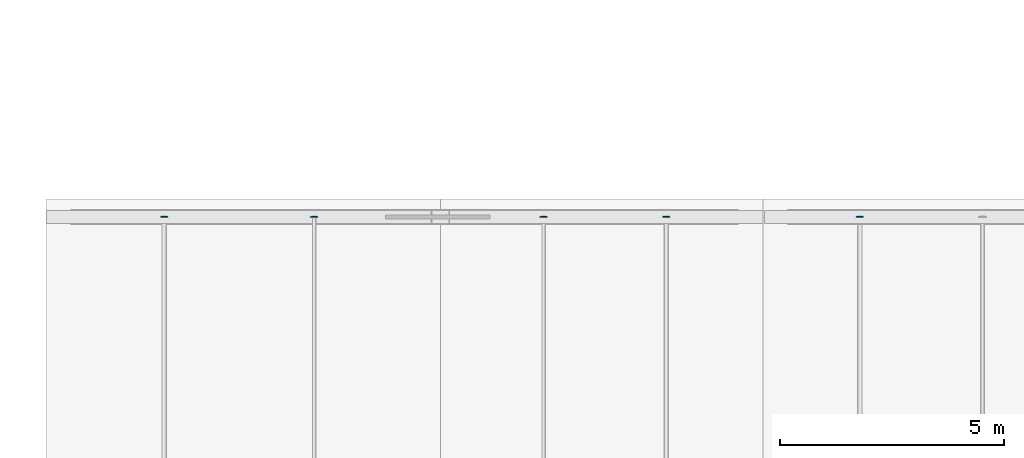
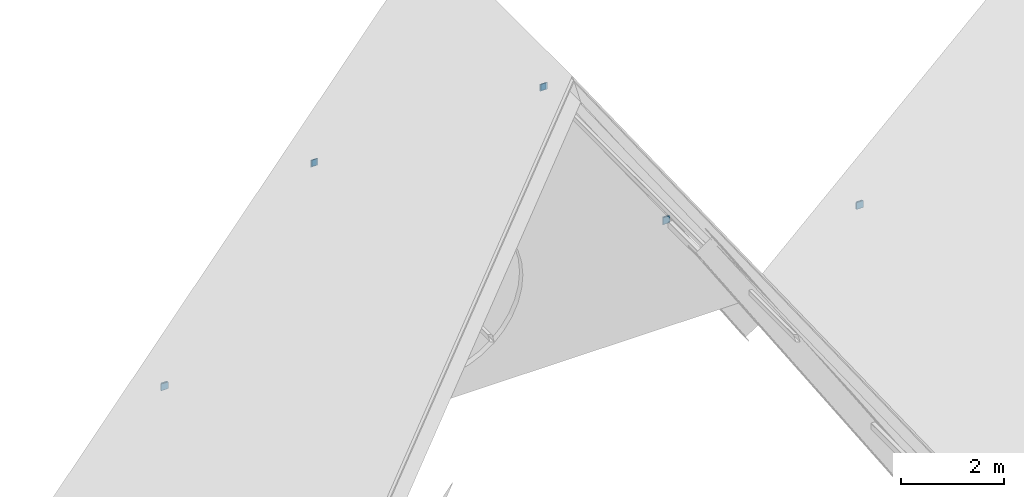
# One storey, part 45 of 64: 10 plates.
"""IFC4 building model written with IfcOpenShell, lengths in metres."""

from ifc_helpers import new_model, si_unit, direction, frame, origin, origin_2d, place, context, subcontext, project, spatial, rectangle, extrude, material, layer, layer_set, type_object, element, save


model = new_model("IFC4")

# Units and contexts
model_context = context("Model", 3, precision=1e-05, world=origin(), true_north=direction((0.0, 1.0)))
body_context = subcontext(model_context, "Body", "Model", "MODEL_VIEW")
ifc_project = project(units=[si_unit("LENGTHUNIT", "METRE"), si_unit("AREAUNIT", "SQUARE_METRE"), si_unit("VOLUMEUNIT", "CUBIC_METRE"), si_unit("PLANEANGLEUNIT", "RADIAN"), si_unit("MASSUNIT", "GRAM", prefix="KILO")], contexts=[model_context])

# Site, building, storey
site_placement = place(None, origin())
site = spatial("IfcSite", under=ifc_project, at=site_placement, CompositionType="ELEMENT")
building_placement = place(site_placement, origin())
building = spatial("IfcBuilding", under=site, at=building_placement, Name="Zhaolan Boulevard Law Courts", CompositionType="ELEMENT")
storey_placement = place(building_placement, frame((0.0, 0.0, 20.39990234375)))
storey = spatial("IfcBuildingStorey", under=building, at=storey_placement, Name="L04", CompositionType="ELEMENT", Elevation=20.39990234375)

# Plates
ifc_material = material(Name="Structural steel Q355B", Category="steel")
ifc_layer = layer(ifc_material, 0.02001953125)
ifc_layer_set = layer_set([ifc_layer])
plate_type = type_object("IfcPlateType", Name="END CAP PLATE 20", PredefinedType="SHEET", material=ifc_layer_set)
for number, where, z_axis, x_axis, name in (
    (1, (54.639892578125, 94.0, 2.5322265625), (0.0, 0.0, 1.0), (1.0, 0.0, 0.0), "Purlin End-Cap Plate ECP-GPR1WN"),
    (2, (65.840087890625, 94.0, 2.5322265625), (0.0, 0.0, 1.0), (1.0, 0.0, 0.0), "Purlin End-Cap Plate ECP-GPR1EN"),
    (3, (57.98388671875, 94.0, 6.63623046875), (0.0, 0.0, 1.0), (1.0, 0.0, 0.0), "Purlin End-Cap Plate ECP-GPR1WN"),
    (4, (63.10400390625, 94.0, 6.63623046875), (0.0, 0.0, 1.0), (1.0, 0.0, 0.0), "Purlin End-Cap Plate ECP-GPR1EN"),
    (5, (70.159912109375, 94.0, 1.376953125), (0.0, 0.0, 1.0), (1.0, 0.0, 0.0), "Purlin End-Cap Plate ECP-GPR2WN"),
):
    element("IfcPlate", number, at=place(storey_placement, frame(where, z_axis=z_axis, x_axis=x_axis)), inside=storey, type_object=plate_type, Name=name, PredefinedType="SHEET", context=body_context, shape_type="SweptSolid", body=[
        extrude(rectangle(XDim=0.159912109375, YDim=0.02001953125, at=origin_2d()), origin(), (0.0, 0.0, 1.0), 0.159912109375),
    ])
for number, where, z_axis, x_axis, name in (
    (6, (54.639892578125, 94.008056640625, 2.52197265625), (0.0, 0.0, 1.0), (0.0, 1.0, 0.0), "Hollow Section End-Cap Plate ECP-1426"),
    (7, (65.840087890625, 94.008056640625, 2.52197265625), (0.0, 0.0, 1.0), (0.0, 1.0, 0.0), "Hollow Section End-Cap Plate ECP-1428"),
):
    element("IfcPlate", number, at=place(storey_placement, frame(where, z_axis=z_axis, x_axis=x_axis)), inside=storey, type_object=plate_type, Name=name, PredefinedType="SHEET", context=body_context, shape_type="SweptSolid", body=[
        extrude(rectangle(XDim=0.02001953125, YDim=0.1298828125, at=origin_2d()), origin(), (0.0, 0.0, 1.0), 0.179931640625),
    ])
for number, where, z_axis, x_axis, name in (
    (8, (57.98388671875, 94.008056640625, 6.64111328125), (0.0, 0.0, 1.0), (0.0, 1.0, 0.0), "Hollow Section End-Cap Plate ECP-1430"),
    (9, (63.10400390625, 94.008056640625, 6.64111328125), (0.0, 0.0, 1.0), (0.0, 1.0, 0.0), "Hollow Section End-Cap Plate ECP-1432"),
):
    element("IfcPlate", number, at=place(storey_placement, frame(where, z_axis=z_axis, x_axis=x_axis)), inside=storey, type_object=plate_type, Name=name, PredefinedType="SHEET", context=body_context, shape_type="SweptSolid", body=[
        extrude(rectangle(XDim=0.02001953125, YDim=0.110107421875, at=origin_2d()), origin(), (0.0, 0.0, 1.0), 0.14990234375),
    ])
plate_placement = place(storey_placement, frame((70.159912109375, 94.008056640625, 1.3671875), z_axis=(0.0, 0.0, 1.0), x_axis=(0.0, 1.0, 0.0)))
element("IfcPlate", 10, at=plate_placement, inside=storey, type_object=plate_type, Name="Hollow Section End-Cap Plate ECP-1434", PredefinedType="SHEET", context=body_context, shape_type="SweptSolid", body=[
    extrude(rectangle(XDim=0.02001953125, YDim=0.1298828125, at=origin_2d()), origin(), (0.0, 0.0, 1.0), 0.179931640625),
])

save(model, "model.ifc")
